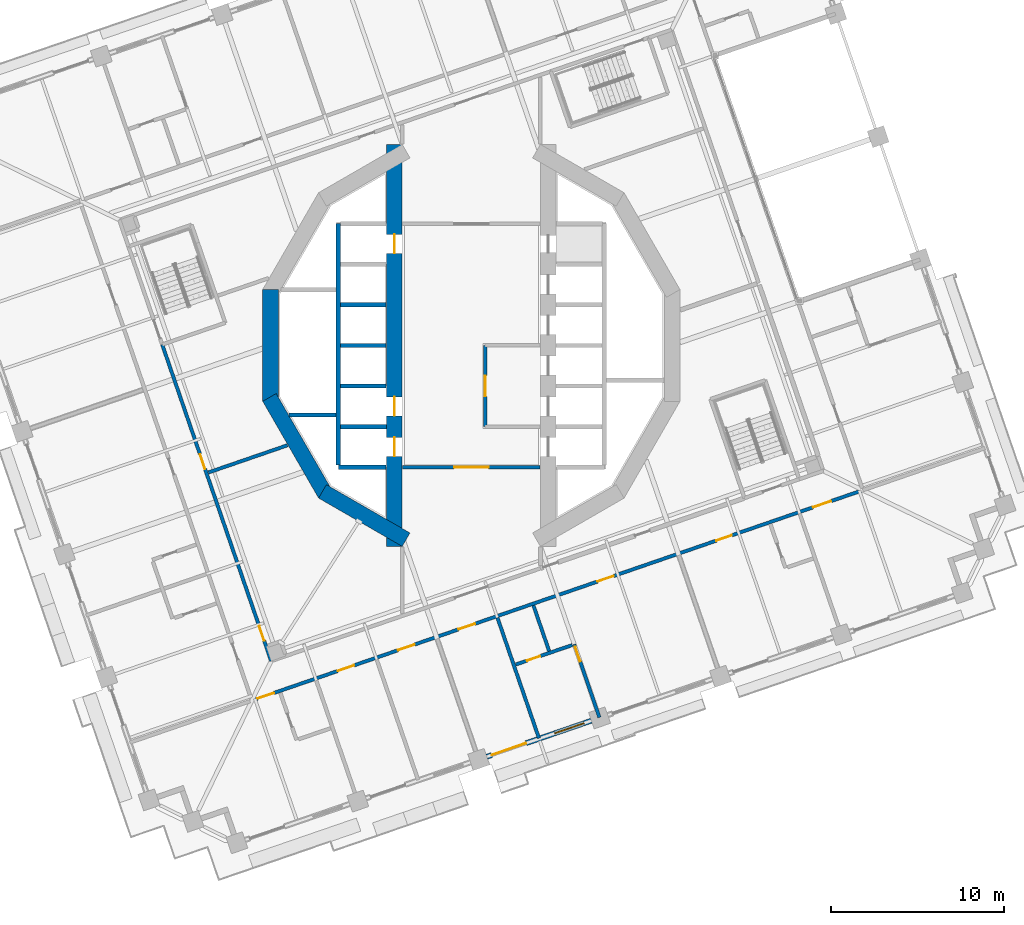
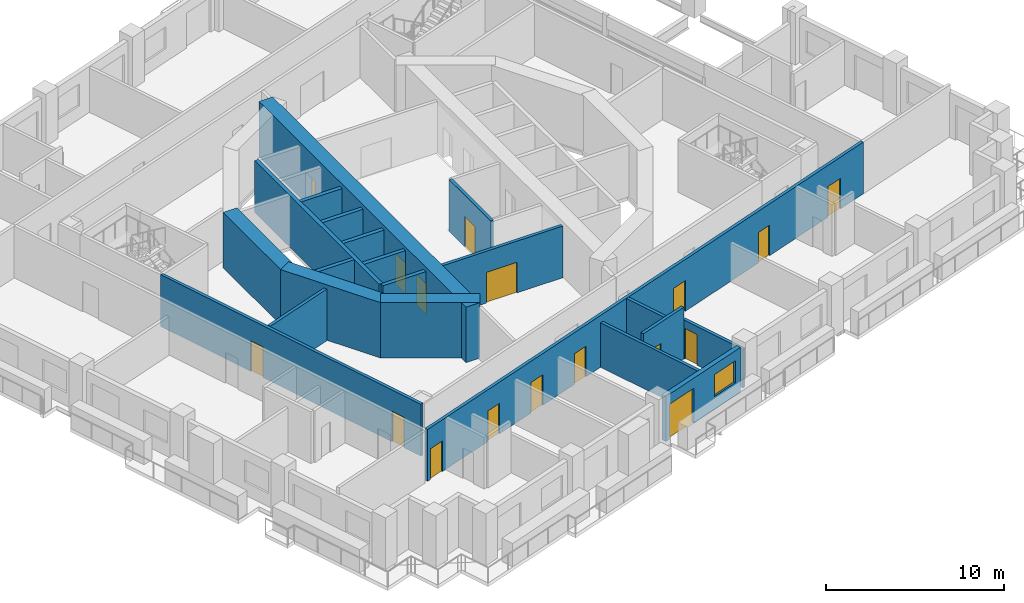
# One storey, part 8 of 19: 21 walls, 17 doors, 1 window, 18 openings.
"""IFC4 building model written with IfcOpenShell, lengths in metres."""

from ifc_helpers import new_model, si_unit, direction, frame, frame_2d, origin, place, context, subcontext, project, spatial, rectangle, extrude, material, layer, layer_set, type_object, element, fill, save


model = new_model("IFC4")

# Units and contexts
model_context = context("Model", 3, precision=1e-05, world=origin(), true_north=direction((0.0, 1.0)))
body_context = subcontext(model_context, "Body", "Model", "MODEL_VIEW")
ifc_project = project(units=[si_unit("LENGTHUNIT", "METRE"), si_unit("AREAUNIT", "SQUARE_METRE"), si_unit("VOLUMEUNIT", "CUBIC_METRE"), si_unit("PLANEANGLEUNIT", "RADIAN"), si_unit("MASSUNIT", "GRAM", prefix="KILO")], contexts=[model_context])

# Site, building, storey
site_placement = place(None, origin())
site = spatial("IfcSite", under=ifc_project, at=site_placement, CompositionType="ELEMENT")
building_placement = place(site_placement, origin())
building = spatial("IfcBuilding", under=site, at=building_placement, Name="Cantera Rosa Tower", CompositionType="ELEMENT")
storey_placement = place(building_placement, frame((0.0, 0.0, 126.89990234375)))
storey = spatial("IfcBuildingStorey", under=building, at=storey_placement, Name="L26", CompositionType="ELEMENT", Elevation=126.89990234375)

# Wall, openings, doors
ifc_material_1 = material(Name="Gypsum board partition")
ifc_layer_1 = layer(ifc_material_1, 0.199951171875)
ifc_layer_set_1 = layer_set([ifc_layer_1], Name="CORRIDOR WALL 200 H3550")
wall_type_1 = type_object("IfcWallType", Name="CORRIDOR WALL 200 H3550", PredefinedType="PARTITIONING", material=ifc_layer_set_1)
wall_1_placement = place(storey_placement, frame((-17.8916015625, 0.05126953125, 0.0), z_axis=(0.0, 0.0, 1.0), x_axis=(0.325580537834, -0.94551431157, 0.0)))
wall_1 = element("IfcWall", 1, at=wall_1_placement, inside=storey, type_object=wall_type_1, Name="CORRIDOR WALL L26-013", PredefinedType="PARTITIONING", context=body_context, shape_type="SweptSolid", body=[
    extrude(rectangle(XDim=19.37353515625, YDim=0.199951171875, at=frame_2d((9.686767578125, 0.0))), origin(), (0.0, 0.0, 1.0), 3.550048828125),
])
opening_1_placement = place(wall_1_placement, frame((6.7109375, 0.0, 0.0)))
opening_1 = element("IfcOpeningElement", 2, at=opening_1_placement, cuts=wall_1, Name="Opening L26-006", PredefinedType="OPENING", context=body_context, shape_type="SweptSolid", body=[
    extrude(rectangle(XDim=0.89990234375, YDim=2.10009765625, at=frame_2d((0.449951171875, 1.050048828125))), frame((0.0, 0.10986328125, 0.0), z_axis=(0.0, -1.0, 0.0), x_axis=(1.0, 0.0, 0.0)), (0.0, 0.0, 1.0), 0.219970703125),
])
opening_2_placement = place(wall_1_placement, frame((17.228515625, 0.0, 0.0)))
opening_2 = element("IfcOpeningElement", 3, at=opening_2_placement, cuts=wall_1, Name="Opening L26-007", PredefinedType="OPENING", context=body_context, shape_type="SweptSolid", body=[
    extrude(rectangle(XDim=0.89990234375, YDim=2.10009765625, at=frame_2d((0.449951171875, 1.050048828125))), frame((0.0, 0.10986328125, 0.0), z_axis=(0.0, -1.0, 0.0), x_axis=(1.0, 0.0, 0.0)), (0.0, 0.0, 1.0), 0.219970703125),
])
ifc_material_2 = material(Name="Timber door leaf", Category="wood")
door_type_1 = type_object("IfcDoorType", Name="SERVICE DOOR 900x2100", OperationType="NOTDEFINED", PredefinedType="DOOR", material=ifc_material_2)
door_1_placement = place(opening_1_placement, origin())
door_1 = element("IfcDoor", 4, at=door_1_placement, inside=storey, type_object=door_type_1, Name="DOOR L26-006", OperationType="NOTDEFINED", OverallHeight=2.10009765625, OverallWidth=0.89990234375, PredefinedType="DOOR", context=body_context, shape_type="SweptSolid", body=[
    extrude(rectangle(XDim=0.89990234375, YDim=2.10009765625, at=frame_2d((0.449951171875, 1.050048828125))), frame((0.0, 0.02490234375, 0.0), z_axis=(0.0, -1.0, 0.0), x_axis=(1.0, 0.0, 0.0)), (0.0, 0.0, 1.0), 0.050048828125),
])
fill(opening_1, door_1)
door_2_placement = place(opening_2_placement, origin())
door_2 = element("IfcDoor", 5, at=door_2_placement, inside=storey, type_object=door_type_1, Name="DOOR L26-007", OperationType="NOTDEFINED", OverallHeight=2.10009765625, OverallWidth=0.89990234375, PredefinedType="DOOR", context=body_context, shape_type="SweptSolid", body=[
    extrude(rectangle(XDim=0.89990234375, YDim=2.10009765625, at=frame_2d((0.449951171875, 1.050048828125))), frame((0.0, 0.02490234375, 0.0), z_axis=(0.0, -1.0, 0.0), x_axis=(1.0, 0.0, 0.0)), (0.0, 0.0, 1.0), 0.050048828125),
])
fill(opening_2, door_2)

wall_2_placement = place(storey_placement, frame((-12.60546875, -20.52197265625, 0.0), z_axis=(0.0, 0.0, 1.0), x_axis=(0.945519651594, 0.325565029526, 0.0)))
wall_2 = element("IfcWall", 6, at=wall_2_placement, inside=storey, type_object=wall_type_1, Name="CORRIDOR WALL L26-021", PredefinedType="PARTITIONING", context=body_context, shape_type="SweptSolid", body=[
    extrude(rectangle(XDim=37.300048828125, YDim=0.199951171875, at=frame_2d((18.64990234375, 0.0))), origin(), (0.0, 0.0, 1.0), 3.550048828125),
])
opening_3_placement = place(wall_2_placement, frame((5.14990234375, 0.0, 0.0)))
opening_3 = element("IfcOpeningElement", 7, at=opening_3_placement, cuts=wall_2, Name="Opening L26-032", PredefinedType="OPENING", context=body_context, shape_type="SweptSolid", body=[
    extrude(rectangle(XDim=1.0, YDim=2.10009765625, at=frame_2d((0.5, 1.050048828125))), frame((0.0, 0.10986328125, 0.0), z_axis=(0.0, -1.0, 0.0), x_axis=(1.0, 0.0, 0.0)), (0.0, 0.0, 1.0), 0.219970703125),
])
opening_4_placement = place(wall_2_placement, frame((8.85009765625, 0.0, 0.0)))
opening_4 = element("IfcOpeningElement", 8, at=opening_4_placement, cuts=wall_2, Name="Opening L26-033", PredefinedType="OPENING", context=body_context, shape_type="SweptSolid", body=[
    extrude(rectangle(XDim=1.0, YDim=2.10009765625, at=frame_2d((0.5, 1.050048828125))), frame((0.0, 0.10986328125, 0.0), z_axis=(0.0, -1.0, 0.0), x_axis=(1.0, 0.0, 0.0)), (0.0, 0.0, 1.0), 0.219970703125),
])
opening_5_placement = place(wall_2_placement, frame((12.550048828125, 0.0, 0.0)))
opening_5 = element("IfcOpeningElement", 9, at=opening_5_placement, cuts=wall_2, Name="Opening L26-034", PredefinedType="OPENING", context=body_context, shape_type="SweptSolid", body=[
    extrude(rectangle(XDim=1.0, YDim=2.10009765625, at=frame_2d((0.5, 1.050048828125))), frame((0.0, 0.10986328125, 0.0), z_axis=(0.0, -1.0, 0.0), x_axis=(1.0, 0.0, 0.0)), (0.0, 0.0, 1.0), 0.219970703125),
])
opening_6_placement = place(wall_2_placement, frame((21.050048828125, 0.0, 0.0)))
opening_6 = element("IfcOpeningElement", 10, at=opening_6_placement, cuts=wall_2, Name="Opening L26-035", PredefinedType="OPENING", context=body_context, shape_type="SweptSolid", body=[
    extrude(rectangle(XDim=1.0, YDim=2.10009765625, at=frame_2d((0.5, 1.050048828125))), frame((0.0, 0.10986328125, 0.0), z_axis=(0.0, -1.0, 0.0), x_axis=(1.0, 0.0, 0.0)), (0.0, 0.0, 1.0), 0.219970703125),
])
opening_7_placement = place(wall_2_placement, frame((28.324951171875, 0.0, 0.0)))
opening_7 = element("IfcOpeningElement", 11, at=opening_7_placement, cuts=wall_2, Name="Opening L26-038", PredefinedType="OPENING", context=body_context, shape_type="SweptSolid", body=[
    extrude(rectangle(XDim=0.949951171875, YDim=2.10009765625, at=frame_2d((0.47509765625, 1.050048828125))), frame((0.0, 0.10986328125, 0.0), z_axis=(0.0, -1.0, 0.0), x_axis=(1.0, 0.0, 0.0)), (0.0, 0.0, 1.0), 0.219970703125),
])
opening_8_placement = place(wall_2_placement, frame((0.25, 0.0, 0.0)))
opening_8 = element("IfcOpeningElement", 12, at=opening_8_placement, cuts=wall_2, Name="Opening L26-040", PredefinedType="OPENING", context=body_context, shape_type="SweptSolid", body=[
    extrude(rectangle(XDim=1.0, YDim=2.10009765625, at=frame_2d((0.5, 1.050048828125))), frame((0.0, 0.10986328125, 0.0), z_axis=(0.0, -1.0, 0.0), x_axis=(1.0, 0.0, 0.0)), (0.0, 0.0, 1.0), 0.219970703125),
])
opening_9_placement = place(wall_2_placement, frame((34.25, 0.0, 0.0)))
opening_9 = element("IfcOpeningElement", 13, at=opening_9_placement, cuts=wall_2, Name="Opening L26-042", PredefinedType="OPENING", context=body_context, shape_type="SweptSolid", body=[
    extrude(rectangle(XDim=1.10009765625, YDim=2.10009765625, at=frame_2d((0.550048828125, 1.050048828125))), frame((0.0, 0.10986328125, 0.0), z_axis=(0.0, -1.0, 0.0), x_axis=(1.0, 0.0, 0.0)), (0.0, 0.0, 1.0), 0.219970703125),
])
ifc_material_3 = material(Name="Timber door leaf", Category="wood")
door_type_2 = type_object("IfcDoorType", Name="ENTRANCE DOOR 1000x2100", OperationType="NOTDEFINED", PredefinedType="DOOR", material=ifc_material_3)
door_3_placement = place(opening_6_placement, origin())
door_3 = element("IfcDoor", 14, at=door_3_placement, inside=storey, type_object=door_type_2, Name="DOOR L26-035", OperationType="NOTDEFINED", OverallHeight=2.10009765625, OverallWidth=1.0, PredefinedType="DOOR", context=body_context, shape_type="SweptSolid", body=[
    extrude(rectangle(XDim=1.0, YDim=2.10009765625, at=frame_2d((0.5, 1.050048828125))), frame((0.0, 0.02490234375, 0.0), z_axis=(0.0, -1.0, 0.0), x_axis=(1.0, 0.0, 0.0)), (0.0, 0.0, 1.0), 0.050048828125),
])
fill(opening_6, door_3)
door_4_placement = place(opening_8_placement, origin())
door_4 = element("IfcDoor", 15, at=door_4_placement, inside=storey, type_object=door_type_2, Name="DOOR L26-040", OperationType="NOTDEFINED", OverallHeight=2.10009765625, OverallWidth=1.0, PredefinedType="DOOR", context=body_context, shape_type="SweptSolid", body=[
    extrude(rectangle(XDim=1.0, YDim=2.10009765625, at=frame_2d((0.5, 1.050048828125))), frame((0.0, 0.02490234375, 0.0), z_axis=(0.0, -1.0, 0.0), x_axis=(1.0, 0.0, 0.0)), (0.0, 0.0, 1.0), 0.050048828125),
])
fill(opening_8, door_4)
ifc_material_4 = material(Name="Timber door leaf", Category="wood")
door_type_3 = type_object("IfcDoorType", Name="ROOM DOOR 1000x2100", OperationType="NOTDEFINED", PredefinedType="DOOR", material=ifc_material_4)
door_5_placement = place(opening_3_placement, origin())
door_5 = element("IfcDoor", 16, at=door_5_placement, inside=storey, type_object=door_type_3, Name="DOOR L26-032", OperationType="NOTDEFINED", OverallHeight=2.10009765625, OverallWidth=1.0, PredefinedType="DOOR", context=body_context, shape_type="SweptSolid", body=[
    extrude(rectangle(XDim=1.0, YDim=2.10009765625, at=frame_2d((0.5, 1.050048828125))), frame((0.0, 0.02490234375, 0.0), z_axis=(0.0, -1.0, 0.0), x_axis=(1.0, 0.0, 0.0)), (0.0, 0.0, 1.0), 0.050048828125),
])
fill(opening_3, door_5)
door_6_placement = place(opening_4_placement, origin())
door_6 = element("IfcDoor", 17, at=door_6_placement, inside=storey, type_object=door_type_3, Name="DOOR L26-033", OperationType="NOTDEFINED", OverallHeight=2.10009765625, OverallWidth=1.0, PredefinedType="DOOR", context=body_context, shape_type="SweptSolid", body=[
    extrude(rectangle(XDim=1.0, YDim=2.10009765625, at=frame_2d((0.5, 1.050048828125))), frame((0.0, 0.02490234375, 0.0), z_axis=(0.0, -1.0, 0.0), x_axis=(1.0, 0.0, 0.0)), (0.0, 0.0, 1.0), 0.050048828125),
])
fill(opening_4, door_6)
door_7_placement = place(opening_5_placement, origin())
door_7 = element("IfcDoor", 18, at=door_7_placement, inside=storey, type_object=door_type_3, Name="DOOR L26-034", OperationType="NOTDEFINED", OverallHeight=2.10009765625, OverallWidth=1.0, PredefinedType="DOOR", context=body_context, shape_type="SweptSolid", body=[
    extrude(rectangle(XDim=1.0, YDim=2.10009765625, at=frame_2d((0.5, 1.050048828125))), frame((0.0, 0.02490234375, 0.0), z_axis=(0.0, -1.0, 0.0), x_axis=(1.0, 0.0, 0.0)), (0.0, 0.0, 1.0), 0.050048828125),
])
fill(opening_5, door_7)
ifc_material_5 = material(Name="Timber door leaf", Category="wood")
door_type_4 = type_object("IfcDoorType", Name="ROOM DOOR 1100x2100", OperationType="NOTDEFINED", PredefinedType="DOOR", material=ifc_material_5)
door_8_placement = place(opening_9_placement, origin())
door_8 = element("IfcDoor", 19, at=door_8_placement, inside=storey, type_object=door_type_4, Name="DOOR L26-042", OperationType="NOTDEFINED", OverallHeight=2.10009765625, OverallWidth=1.10009765625, PredefinedType="DOOR", context=body_context, shape_type="SweptSolid", body=[
    extrude(rectangle(XDim=1.10009765625, YDim=2.10009765625, at=frame_2d((0.550048828125, 1.050048828125))), frame((0.0, 0.02490234375, 0.0), z_axis=(0.0, -1.0, 0.0), x_axis=(1.0, 0.0, 0.0)), (0.0, 0.0, 1.0), 0.050048828125),
])
fill(opening_9, door_8)
ifc_material_6 = material(Name="Timber door leaf", Category="wood")
door_type_5 = type_object("IfcDoorType", Name="ROOM DOOR 950x2100", OperationType="NOTDEFINED", PredefinedType="DOOR", material=ifc_material_6)
door_9_placement = place(opening_7_placement, origin())
door_9 = element("IfcDoor", 20, at=door_9_placement, inside=storey, type_object=door_type_5, Name="DOOR L26-038", OperationType="NOTDEFINED", OverallHeight=2.10009765625, OverallWidth=0.949951171875, PredefinedType="DOOR", context=body_context, shape_type="SweptSolid", body=[
    extrude(rectangle(XDim=0.949951171875, YDim=2.10009765625, at=frame_2d((0.47509765625, 1.050048828125))), frame((0.0, 0.02490234375, 0.0), z_axis=(0.0, -1.0, 0.0), x_axis=(1.0, 0.0, 0.0)), (0.0, 0.0, 1.0), 0.050048828125),
])
fill(opening_7, door_9)

# Wall, opening, door
wall_3_placement = place(storey_placement, frame((3.969970703125, -7.050048828125, 0.0), z_axis=(0.0, 0.0, 1.0), x_axis=(-1.0, 0.0, 0.0)))
wall_3 = element("IfcWall", 21, at=wall_3_placement, inside=storey, type_object=wall_type_1, Name="CORRIDOR WALL L26-052", PredefinedType="PARTITIONING", context=body_context, shape_type="SweptSolid", body=[
    extrude(rectangle(XDim=7.93994140625, YDim=0.199951171875, at=frame_2d((3.969970703125, 0.0))), origin(), (0.0, 0.0, 1.0), 3.550048828125),
])
opening_10_placement = place(wall_3_placement, frame((2.969970703125, 0.0, 0.0)))
opening_10 = element("IfcOpeningElement", 22, at=opening_10_placement, cuts=wall_3, Name="Opening L26-012", PredefinedType="OPENING", context=body_context, shape_type="SweptSolid", body=[
    extrude(rectangle(XDim=2.0, YDim=2.10009765625, at=frame_2d((1.0, 1.050048828125))), frame((0.0, 0.10986328125, 0.0), z_axis=(0.0, -1.0, 0.0), x_axis=(1.0, 0.0, 0.0)), (0.0, 0.0, 1.0), 0.219970703125),
])
ifc_material_7 = material(Name="Steel S355J2 (EN 10025-2)", Category="steel")
door_type_6 = type_object("IfcDoorType", Name="LOBBY SCREEN DOOR 2000x2100", OperationType="NOTDEFINED", PredefinedType="DOOR", material=ifc_material_7)
door_10_placement = place(opening_10_placement, origin())
door_10 = element("IfcDoor", 23, at=door_10_placement, inside=storey, type_object=door_type_6, Name="DOOR L26-012", OperationType="NOTDEFINED", OverallHeight=2.10009765625, OverallWidth=2.0, PredefinedType="DOOR", context=body_context, shape_type="SweptSolid", body=[
    extrude(rectangle(XDim=2.0, YDim=2.10009765625, at=frame_2d((1.0, 1.050048828125))), frame((0.0, 0.02490234375, 0.0), z_axis=(0.0, -1.0, 0.0), x_axis=(1.0, 0.0, 0.0)), (0.0, 0.0, 1.0), 0.050048828125),
])
fill(opening_10, door_10)

# Wall, openings, window, door
ifc_material_8 = material(Name="Hollow clay masonry with cantera stone cladding", Category="masonry")
ifc_layer_2 = layer(ifc_material_8, 0.300048828125)
ifc_layer_set_2 = layer_set([ifc_layer_2], Name="EW-LOGGIA 300 H3090")
wall_type_2 = type_object("IfcWallType", Name="EW-LOGGIA 300 H3090", PredefinedType="SOLIDWALL", material=ifc_layer_set_2)
wall_4_placement = place(storey_placement, frame((0.89892578125, -23.80419921875, 0.0), z_axis=(0.0, 0.0, 1.0), x_axis=(0.945524496524, 0.325550958337, 0.0)))
wall_4 = element("IfcWall", 24, at=wall_4_placement, inside=storey, type_object=wall_type_2, Name="EN-L26-W25", PredefinedType="SOLIDWALL", context=body_context, shape_type="SweptSolid", body=[
    extrude(rectangle(XDim=6.39990234375, YDim=0.300048828125, at=frame_2d((3.199951171875, 0.0))), origin(), (0.0, 0.0, 1.0), 3.090087890625),
])
opening_11_placement = place(wall_4_placement, frame((0.300048828125, 0.0, 0.0)))
opening_11 = element("IfcOpeningElement", 25, at=opening_11_placement, cuts=wall_4, Name="Opening L26-TD33", PredefinedType="OPENING", context=body_context, shape_type="SweptSolid", body=[
    extrude(rectangle(XDim=2.10009765625, YDim=2.39990234375, at=frame_2d((1.050048828125, 1.199951171875))), frame((0.0, 0.159912109375, 0.0), z_axis=(0.0, -1.0, 0.0), x_axis=(1.0, 0.0, 0.0)), (0.0, 0.0, 1.0), 0.320068359375),
])
opening_12_placement = place(wall_4_placement, frame((4.14990234375, 0.0, 0.89990234375)))
opening_12 = element("IfcOpeningElement", 26, at=opening_12_placement, cuts=wall_4, Name="Opening L26-W34", PredefinedType="OPENING", context=body_context, shape_type="SweptSolid", body=[
    extrude(rectangle(XDim=1.800048828125, YDim=1.5, at=frame_2d((0.89990234375, 0.75))), frame((0.0, 0.159912109375, 0.0), z_axis=(0.0, -1.0, 0.0), x_axis=(1.0, 0.0, 0.0)), (0.0, 0.0, 1.0), 0.320068359375),
])
ifc_material_9 = material(Name="Aluminium frame with clear glass", Category="aluminium")
window_type = type_object("IfcWindowType", Name="Hotel room window 1800x1500", PartitioningType="DOUBLE_PANEL_VERTICAL", PredefinedType="WINDOW", material=ifc_material_9)
window_placement = place(opening_12_placement, origin())
window = element("IfcWindow", 27, at=window_placement, inside=storey, type_object=window_type, Name="WINDOW L26-W34", OverallHeight=1.5, OverallWidth=1.800048828125, PartitioningType="SINGLE_PANEL", PredefinedType="WINDOW", context=body_context, shape_type="SweptSolid", body=[
    extrude(rectangle(XDim=1.800048828125, YDim=1.5, at=frame_2d((0.89990234375, 0.75))), frame((0.0, 0.030029296875, 0.0), z_axis=(0.0, -1.0, 0.0), x_axis=(1.0, 0.0, 0.0)), (0.0, 0.0, 1.0), 0.06005859375),
])
fill(opening_12, window)
ifc_material_10 = material(Name="Aluminium frame with clear glass", Category="aluminium")
door_type_7 = type_object("IfcDoorType", Name="TD-H 2100x2400", OperationType="NOTDEFINED", PredefinedType="DOOR", material=ifc_material_10)
door_11_placement = place(opening_11_placement, origin())
door_11 = element("IfcDoor", 28, at=door_11_placement, inside=storey, type_object=door_type_7, Name="LOGGIA DOOR L26-TD33", OperationType="SLIDING_TO_LEFT", OverallHeight=2.39990234375, OverallWidth=2.10009765625, PredefinedType="DOOR", context=body_context, shape_type="SweptSolid", body=[
    extrude(rectangle(XDim=2.10009765625, YDim=2.39990234375, at=frame_2d((1.050048828125, 1.199951171875))), frame((0.0, 0.02490234375, 0.0), z_axis=(0.0, -1.0, 0.0), x_axis=(1.0, 0.0, 0.0)), (0.0, 0.0, 1.0), 0.050048828125),
])
fill(opening_11, door_11)

# Wall, opening, door
ifc_material_11 = material(Name="Gypsum board partition")
ifc_layer_3 = layer(ifc_material_11, 0.199951171875)
ifc_layer_set_3 = layer_set([ifc_layer_3], Name="PARTITION 200 H2650")
wall_type_3 = type_object("IfcWallType", Name="PARTITION 200 H2650", PredefinedType="PARTITIONING", material=ifc_layer_set_3)
wall_5_placement = place(storey_placement, frame((5.9580078125, -17.302978515625, 0.0), z_axis=(0.0, 0.0, 1.0), x_axis=(0.325519343344, -0.945535381204, 0.0)))
wall_5 = element("IfcWall", 29, at=wall_5_placement, inside=storey, type_object=wall_type_3, Name="PARTITION L26-062", PredefinedType="PARTITIONING", context=body_context, shape_type="SweptSolid", body=[
    extrude(rectangle(XDim=4.469970703125, YDim=0.199951171875, at=frame_2d((2.23486328125, 0.0))), origin(), (0.0, 0.0, 1.0), 2.650146484375),
])
opening_13_placement = place(wall_5_placement, frame((0.14990234375, 0.0, 0.0)))
opening_13 = element("IfcOpeningElement", 30, at=opening_13_placement, cuts=wall_5, Name="Opening L26-036", PredefinedType="OPENING", context=body_context, shape_type="SweptSolid", body=[
    extrude(rectangle(XDim=0.89990234375, YDim=2.10009765625, at=frame_2d((0.449951171875, 1.050048828125))), frame((0.0, 0.10986328125, 0.0), z_axis=(0.0, -1.0, 0.0), x_axis=(1.0, 0.0, 0.0)), (0.0, 0.0, 1.0), 0.219970703125),
])
ifc_material_12 = material(Name="Timber door leaf", Category="wood")
door_type_8 = type_object("IfcDoorType", Name="ROOM DOOR 900x2100", OperationType="NOTDEFINED", PredefinedType="DOOR", material=ifc_material_12)
door_12_placement = place(opening_13_placement, origin())
door_12 = element("IfcDoor", 31, at=door_12_placement, inside=storey, type_object=door_type_8, Name="DOOR L26-036", OperationType="NOTDEFINED", OverallHeight=2.10009765625, OverallWidth=0.89990234375, PredefinedType="DOOR", context=body_context, shape_type="SweptSolid", body=[
    extrude(rectangle(XDim=0.89990234375, YDim=2.10009765625, at=frame_2d((0.449951171875, 1.050048828125))), frame((0.0, 0.02490234375, 0.0), z_axis=(0.0, -1.0, 0.0), x_axis=(1.0, 0.0, 0.0)), (0.0, 0.0, 1.0), 0.050048828125),
])
fill(opening_13, door_12)

# Wall
ifc_material_13 = material(Name="Gypsum board partition")
ifc_layer_4 = layer(ifc_material_13, 0.199951171875)
ifc_layer_set_4 = layer_set([ifc_layer_4], Name="PARTITION 200 H3550")
wall_type_4 = type_object("IfcWallType", Name="PARTITION 200 H3550", PredefinedType="PARTITIONING", material=ifc_layer_set_4)
wall_6_placement = place(storey_placement, frame((-10.64013671875, -5.77880859375, 0.0), z_axis=(0.0, 0.0, 1.0), x_axis=(-0.945513394783, -0.325583200253, 0.0)))
element("IfcWall", 32, at=wall_6_placement, inside=storey, type_object=wall_type_4, Name="PARTITION L26-028", PredefinedType="PARTITIONING", context=body_context, shape_type="SweptSolid", body=[
    extrude(rectangle(XDim=4.838134765625, YDim=0.199951171875, at=frame_2d((2.4189453125, 0.0))), origin(), (0.0, 0.0, 1.0), 3.550048828125),
])

# Wall, opening, door
wall_7_placement = place(storey_placement, frame((2.572998046875, -18.468505859375, 0.0), z_axis=(0.0, 0.0, 1.0), x_axis=(0.945518358783, 0.325568784136, 0.0)))
wall_7 = element("IfcWall", 33, at=wall_7_placement, inside=storey, type_object=wall_type_4, Name="PARTITION L26-050", PredefinedType="PARTITIONING", context=body_context, shape_type="SweptSolid", body=[
    extrude(rectangle(XDim=3.4599609375, YDim=0.199951171875, at=frame_2d((1.72998046875, 0.0))), origin(), (0.0, 0.0, 1.0), 3.550048828125),
])
opening_14_placement = place(wall_7_placement, frame((0.68994140625, 0.0, 0.0)))
opening_14 = element("IfcOpeningElement", 34, at=opening_14_placement, cuts=wall_7, Name="Opening L26-037", PredefinedType="OPENING", context=body_context, shape_type="SweptSolid", body=[
    extrude(rectangle(XDim=0.800048828125, YDim=2.10009765625, at=frame_2d((0.39990234375, 1.050048828125))), frame((0.0, 0.10986328125, 0.0), z_axis=(0.0, -1.0, 0.0), x_axis=(1.0, 0.0, 0.0)), (0.0, 0.0, 1.0), 0.219970703125),
])
ifc_material_14 = material(Name="Timber door leaf", Category="wood")
door_type_9 = type_object("IfcDoorType", Name="BATHROOM DOOR 800x2100", OperationType="NOTDEFINED", PredefinedType="DOOR", material=ifc_material_14)
door_13_placement = place(opening_14_placement, origin())
door_13 = element("IfcDoor", 35, at=door_13_placement, inside=storey, type_object=door_type_9, Name="DOOR L26-037", OperationType="NOTDEFINED", OverallHeight=2.10009765625, OverallWidth=0.800048828125, PredefinedType="DOOR", context=body_context, shape_type="SweptSolid", body=[
    extrude(rectangle(XDim=0.800048828125, YDim=2.10009765625, at=frame_2d((0.39990234375, 1.050048828125))), frame((0.0, 0.02490234375, 0.0), z_axis=(0.0, -1.0, 0.0), x_axis=(1.0, 0.0, 0.0)), (0.0, 0.0, 1.0), 0.050048828125),
])
fill(opening_14, door_13)

# Walls
wall_8_placement = place(storey_placement, frame((3.595458984375, -15.04931640625, 0.0), z_axis=(0.0, 0.0, 1.0), x_axis=(0.325576835135, -0.945515586558, 0.0)))
element("IfcWall", 36, at=wall_8_placement, inside=storey, type_object=wall_type_4, Name="PARTITION L26-051", PredefinedType="PARTITIONING", context=body_context, shape_type="SweptSolid", body=[
    extrude(rectangle(XDim=2.800048828125, YDim=0.199951171875, at=frame_2d((1.39990234375, 0.0))), origin(), (0.0, 0.0, 1.0), 3.550048828125),
])
ifc_material_15 = material(Name="Gypsum board partition")
ifc_layer_5 = layer(ifc_material_15, 0.199951171875)
ifc_layer_set_5 = layer_set([ifc_layer_5], Name="PARTY WALL 200 H3050")
wall_type_5 = type_object("IfcWallType", Name="PARTY WALL 200 H3050", PredefinedType="PARTITIONING", material=ifc_layer_set_5)
wall_9_placement = place(storey_placement, frame((1.515380859375, -15.765625, 0.0), z_axis=(0.0, 0.0, 1.0), x_axis=(0.325563917555, -0.945520034471, 0.0)))
element("IfcWall", 37, at=wall_9_placement, inside=storey, type_object=wall_type_5, Name="PARTY WALL L26-048", PredefinedType="PARTITIONING", context=body_context, shape_type="SweptSolid", body=[
    extrude(rectangle(XDim=7.3701171875, YDim=0.199951171875, at=frame_2d((3.68505859375, 0.0))), origin(), (0.0, 0.0, 1.0), 3.050048828125),
])
ifc_material_16 = material(Name="Concrete C70/85", Category="concrete")
ifc_layer_6 = layer(ifc_material_16, 0.89990234375)
ifc_layer_set_6 = layer_set([ifc_layer_6], Name="RC CORE WALL 900 C70/85")
wall_type_6 = type_object("IfcWallType", Name="RC CORE WALL 900 C70/85", PredefinedType="SHEAR", material=ifc_layer_set_6)
wall_10_placement = place(storey_placement, frame((-3.77490234375, -11.242919921875, 0.0), z_axis=(0.0, 0.0, 1.0), x_axis=(-0.866026961591, 0.49999730179, 0.0)))
element("IfcWall", 38, at=wall_10_placement, inside=storey, type_object=wall_type_6, Name="CW-W1 L26", PredefinedType="SHEAR", context=body_context, shape_type="SweptSolid", body=[
    extrude(rectangle(XDim=5.58740234375, YDim=0.89990234375, at=frame_2d((2.793701171875, 0.0))), origin(), (0.0, 0.0, 1.0), 3.800048828125),
])
wall_11_placement = place(storey_placement, frame((-8.44921875, -8.61376953125, 0.0), z_axis=(0.0, 0.0, 1.0), x_axis=(-0.499990282633, 0.866031014036, 0.0)))
element("IfcWall", 39, at=wall_11_placement, inside=storey, type_object=wall_type_6, Name="CW-W2 L26", PredefinedType="SHEAR", context=body_context, shape_type="SweptSolid", body=[
    extrude(rectangle(XDim=6.470458984375, YDim=0.89990234375, at=frame_2d((3.2353515625, 0.0))), origin(), (0.0, 0.0, 1.0), 3.800048828125),
])
wall_12_placement = place(storey_placement, frame((-11.6240234375, -3.2353515625, 0.0), z_axis=(0.0, 0.0, 1.0), x_axis=(0.0, 1.0, 0.0)))
element("IfcWall", 40, at=wall_12_placement, inside=storey, type_object=wall_type_6, Name="CW-W3 L26", PredefinedType="SHEAR", context=body_context, shape_type="SweptSolid", body=[
    extrude(rectangle(XDim=6.470703125, YDim=0.89990234375, at=frame_2d((3.2353515625, 0.0))), origin(), (0.0, 0.0, 1.0), 3.800048828125),
])

# Wall, openings, doors
wall_13_placement = place(storey_placement, frame((-4.449951171875, 11.632568359375, 0.0), z_axis=(0.0, 0.0, 1.0), x_axis=(0.0, -1.0, 0.0)))
wall_13 = element("IfcWall", 41, at=wall_13_placement, inside=storey, type_object=wall_type_6, Name="CW-W6 L26", PredefinedType="SHEAR", context=body_context, shape_type="SweptSolid", body=[
    extrude(rectangle(XDim=23.26513671875, YDim=0.89990234375, at=frame_2d((11.632568359375, 0.0))), origin(), (0.0, 0.0, 1.0), 3.800048828125),
])
opening_15_placement = place(wall_13_placement, frame((14.607421875, 0.0, 0.0)))
opening_15 = element("IfcOpeningElement", 42, at=opening_15_placement, cuts=wall_13, Name="Opening LD-P3-L26", PredefinedType="OPENING", context=body_context, shape_type="SweptSolid", body=[
    extrude(rectangle(XDim=1.10009765625, YDim=2.10009765625, at=frame_2d((0.550048828125, 1.050048828125))), frame((0.0, 0.4599609375, 0.0), z_axis=(0.0, -1.0, 0.0), x_axis=(1.0, 0.0, 0.0)), (0.0, 0.0, 1.0), 0.919921875),
])
opening_16_placement = place(wall_13_placement, frame((16.95751953125, 0.0, 0.0)))
opening_16 = element("IfcOpeningElement", 43, at=opening_16_placement, cuts=wall_13, Name="Opening LD-P4-L26", PredefinedType="OPENING", context=body_context, shape_type="SweptSolid", body=[
    extrude(rectangle(XDim=1.10009765625, YDim=2.10009765625, at=frame_2d((0.550048828125, 1.050048828125))), frame((0.0, 0.4599609375, 0.0), z_axis=(0.0, -1.0, 0.0), x_axis=(1.0, 0.0, 0.0)), (0.0, 0.0, 1.0), 0.919921875),
])
opening_17_placement = place(wall_13_placement, frame((5.20751953125, 0.0, 0.0)))
opening_17 = element("IfcOpeningElement", 44, at=opening_17_placement, cuts=wall_13, Name="Opening LD-P5-L26", PredefinedType="OPENING", context=body_context, shape_type="SweptSolid", body=[
    extrude(rectangle(XDim=1.10009765625, YDim=2.10009765625, at=frame_2d((0.550048828125, 1.050048828125))), frame((0.0, 0.4599609375, 0.0), z_axis=(0.0, -1.0, 0.0), x_axis=(1.0, 0.0, 0.0)), (0.0, 0.0, 1.0), 0.919921875),
])
ifc_material_17 = material(Name="Steel S355J2 (EN 10025-2)", Category="steel")
door_type_10 = type_object("IfcDoorType", Name="LANDING DOOR 1100x2100", OperationType="NOTDEFINED", PredefinedType="DOOR", material=ifc_material_17)
door_14_placement = place(opening_15_placement, origin())
door_14 = element("IfcDoor", 45, at=door_14_placement, inside=storey, type_object=door_type_10, Name="LANDING DOOR P3 L26", OperationType="SLIDING_TO_LEFT", OverallHeight=2.10009765625, OverallWidth=1.10009765625, PredefinedType="DOOR", context=body_context, shape_type="SweptSolid", body=[
    extrude(rectangle(XDim=1.10009765625, YDim=2.10009765625, at=frame_2d((0.550048828125, 1.050048828125))), frame((0.0, 0.02490234375, 0.0), z_axis=(0.0, -1.0, 0.0), x_axis=(1.0, 0.0, 0.0)), (0.0, 0.0, 1.0), 0.050048828125),
])
fill(opening_15, door_14)
door_15_placement = place(opening_16_placement, origin())
door_15 = element("IfcDoor", 46, at=door_15_placement, inside=storey, type_object=door_type_10, Name="LANDING DOOR P4 L26", OperationType="SLIDING_TO_LEFT", OverallHeight=2.10009765625, OverallWidth=1.10009765625, PredefinedType="DOOR", context=body_context, shape_type="SweptSolid", body=[
    extrude(rectangle(XDim=1.10009765625, YDim=2.10009765625, at=frame_2d((0.550048828125, 1.050048828125))), frame((0.0, 0.02490234375, 0.0), z_axis=(0.0, -1.0, 0.0), x_axis=(1.0, 0.0, 0.0)), (0.0, 0.0, 1.0), 0.050048828125),
])
fill(opening_16, door_15)
door_16_placement = place(opening_17_placement, origin())
door_16 = element("IfcDoor", 47, at=door_16_placement, inside=storey, type_object=door_type_10, Name="LANDING DOOR P5 L26", OperationType="SLIDING_TO_LEFT", OverallHeight=2.10009765625, OverallWidth=1.10009765625, PredefinedType="DOOR", context=body_context, shape_type="SweptSolid", body=[
    extrude(rectangle(XDim=1.10009765625, YDim=2.10009765625, at=frame_2d((0.550048828125, 1.050048828125))), frame((0.0, 0.02490234375, 0.0), z_axis=(0.0, -1.0, 0.0), x_axis=(1.0, 0.0, 0.0)), (0.0, 0.0, 1.0), 0.050048828125),
])
fill(opening_17, door_16)

# Walls
ifc_material_18 = material(Name="Masonry blockwork", Category="masonry")
ifc_layer_7 = layer(ifc_material_18, 0.25)
ifc_layer_set_7 = layer_set([ifc_layer_7], Name="SHAFT WALL 250 H3550")
wall_type_7 = type_object("IfcWallType", Name="SHAFT WALL 250 H3550", PredefinedType="SOLIDWALL", material=ifc_layer_set_7)
wall_14_placement = place(storey_placement, frame((-10.54150390625, -4.029541015625, 0.0), z_axis=(0.0, 0.0, 1.0), x_axis=(1.0, 0.0, 0.0)))
element("IfcWall", 48, at=wall_14_placement, inside=storey, type_object=wall_type_7, Name="SHAFT WALL L26-029", PredefinedType="SOLIDWALL", context=body_context, shape_type="SweptSolid", body=[
    extrude(rectangle(XDim=2.716552734375, YDim=0.25, at=frame_2d((1.3583984375, 0.0))), origin(), (0.0, 0.0, 1.0), 3.550048828125),
])
wall_15_placement = place(storey_placement, frame((-7.699951171875, -7.050048828125, 0.0), z_axis=(0.0, 0.0, 1.0), x_axis=(1.0, 0.0, 0.0)))
element("IfcWall", 49, at=wall_15_placement, inside=storey, type_object=wall_type_7, Name="SHAFT WALL L26-032", PredefinedType="SOLIDWALL", context=body_context, shape_type="SweptSolid", body=[
    extrude(rectangle(XDim=2.77001953125, YDim=0.25, at=frame_2d((1.385009765625, 0.0))), origin(), (0.0, 0.0, 1.0), 3.550048828125),
])
wall_16_placement = place(storey_placement, frame((-7.574951171875, -4.699951171875, 0.0), z_axis=(0.0, 0.0, 1.0), x_axis=(1.0, 0.0, 0.0)))
element("IfcWall", 50, at=wall_16_placement, inside=storey, type_object=wall_type_7, Name="SHAFT WALL L26-033", PredefinedType="SOLIDWALL", context=body_context, shape_type="SweptSolid", body=[
    extrude(rectangle(XDim=2.675048828125, YDim=0.25, at=frame_2d((1.33740234375, 0.0))), origin(), (0.0, 0.0, 1.0), 3.550048828125),
])
for number, where, z_axis, x_axis, name in (
    (51, (-7.574951171875, -2.35009765625, 0.0), (0.0, 0.0, 1.0), (1.0, 0.0, 0.0), "SHAFT WALL L26-034"),
    (52, (-7.574951171875, 0.0, 0.0), (0.0, 0.0, 1.0), (1.0, 0.0, 0.0), "SHAFT WALL L26-035"),
    (53, (-7.574951171875, 2.35009765625, 0.0), (0.0, 0.0, 1.0), (1.0, 0.0, 0.0), "SHAFT WALL L26-036"),
):
    element("IfcWall", number, at=place(storey_placement, frame(where, z_axis=z_axis, x_axis=x_axis)), inside=storey, type_object=wall_type_7, Name=name, PredefinedType="SOLIDWALL", context=body_context, shape_type="SweptSolid", body=[
        extrude(rectangle(XDim=2.64501953125, YDim=0.25, at=frame_2d((1.322509765625, 0.0))), origin(), (0.0, 0.0, 1.0), 3.550048828125),
    ])
wall_17_placement = place(storey_placement, frame((-7.699951171875, 7.050048828125, 0.0), z_axis=(0.0, 0.0, 1.0), x_axis=(0.0, -1.0, 0.0)))
element("IfcWall", 54, at=wall_17_placement, inside=storey, type_object=wall_type_7, Name="SHAFT WALL L26-038", PredefinedType="SOLIDWALL", context=body_context, shape_type="SweptSolid", body=[
    extrude(rectangle(XDim=13.97998046875, YDim=0.25, at=frame_2d((6.989990234375, 0.0))), origin(), (0.0, 0.0, 1.0), 3.550048828125),
])

# Wall, opening, door
ifc_material_19 = material(Name="Concrete C50/60", Category="concrete")
ifc_layer_8 = layer(ifc_material_19, 0.199951171875)
ifc_layer_set_8 = layer_set([ifc_layer_8], Name="STAIR WALL 200 H3550")
wall_type_8 = type_object("IfcWallType", Name="STAIR WALL 200 H3550", PredefinedType="SOLIDWALL", material=ifc_layer_set_8)
wall_18_placement = place(storey_placement, frame((0.800048828125, -4.699951171875, 0.0), z_axis=(0.0, 0.0, 1.0), x_axis=(0.0, 1.0, 0.0)))
wall_18 = element("IfcWall", 55, at=wall_18_placement, inside=storey, type_object=wall_type_8, Name="STAIR WALL L26-046", PredefinedType="SOLIDWALL", context=body_context, shape_type="SweptSolid", body=[
    extrude(rectangle(XDim=4.699951171875, YDim=0.199951171875, at=frame_2d((2.35009765625, 0.0))), origin(), (0.0, 0.0, 1.0), 3.550048828125),
])
opening_18_placement = place(wall_18_placement, frame((1.75, 0.0, 0.0)))
opening_18 = element("IfcOpeningElement", 56, at=opening_18_placement, cuts=wall_18, Name="Opening L26-013", PredefinedType="OPENING", context=body_context, shape_type="SweptSolid", body=[
    extrude(rectangle(XDim=1.199951171875, YDim=2.10009765625, at=frame_2d((0.60009765625, 1.050048828125))), frame((0.0, 0.10986328125, 0.0), z_axis=(0.0, -1.0, 0.0), x_axis=(1.0, 0.0, 0.0)), (0.0, 0.0, 1.0), 0.219970703125),
])
ifc_material_20 = material(Name="Steel S355J2 (EN 10025-2)", Category="steel")
door_type_11 = type_object("IfcDoorType", Name="FIRE DOOR 1200x2100", OperationType="NOTDEFINED", PredefinedType="DOOR", material=ifc_material_20)
door_17_placement = place(opening_18_placement, origin())
door_17 = element("IfcDoor", 57, at=door_17_placement, inside=storey, type_object=door_type_11, Name="DOOR L26-013", OperationType="NOTDEFINED", OverallHeight=2.10009765625, OverallWidth=1.199951171875, PredefinedType="DOOR", context=body_context, shape_type="SweptSolid", body=[
    extrude(rectangle(XDim=1.199951171875, YDim=2.10009765625, at=frame_2d((0.60009765625, 1.050048828125))), frame((0.0, 0.02490234375, 0.0), z_axis=(0.0, -1.0, 0.0), x_axis=(1.0, 0.0, 0.0)), (0.0, 0.0, 1.0), 0.050048828125),
])
fill(opening_18, door_17)

save(model, "model.ifc")
